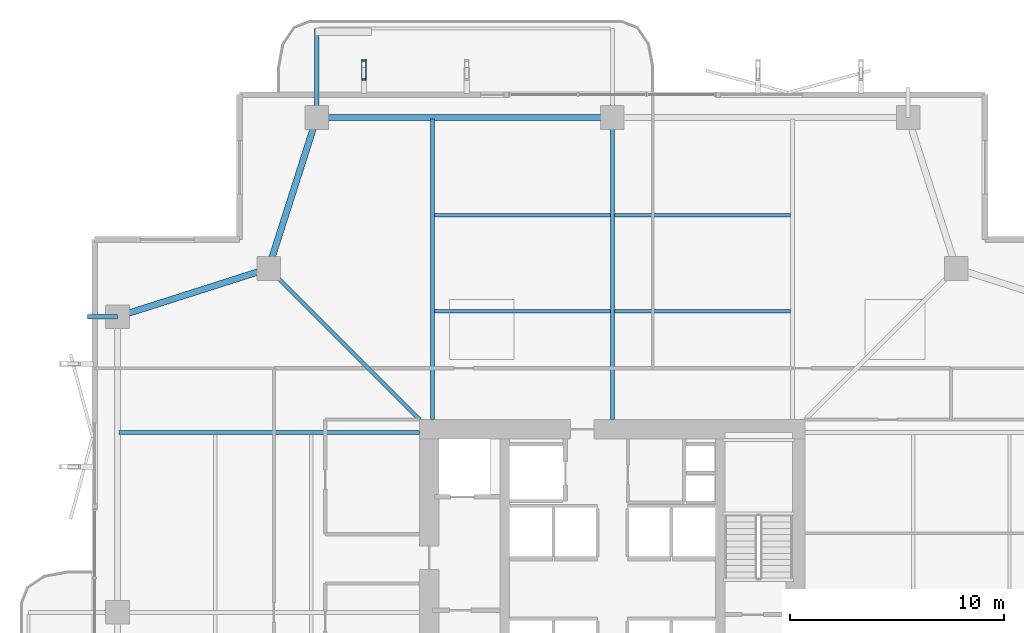
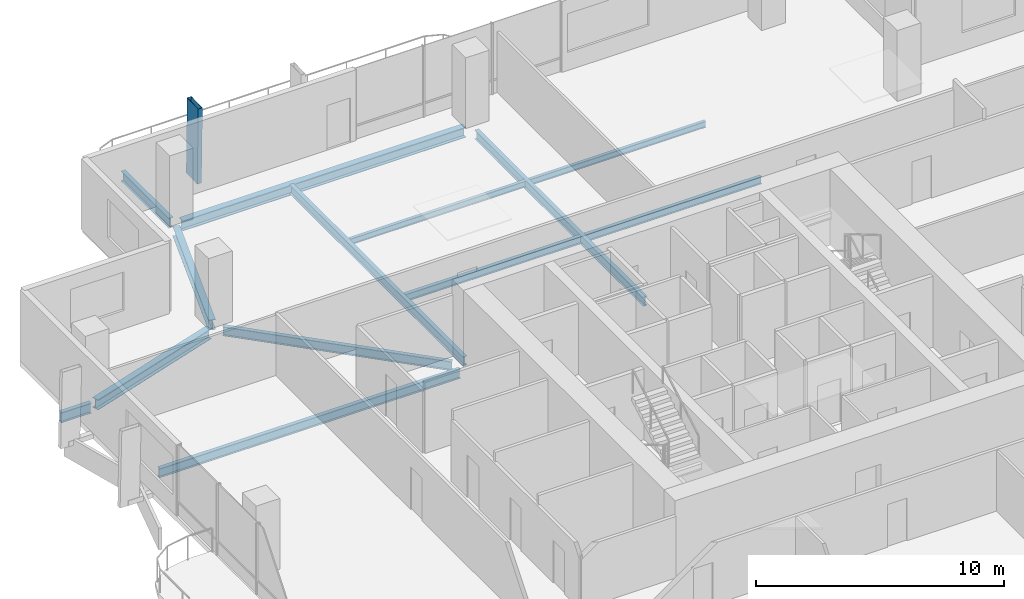
# One storey, part 12 of 24: 13 beams, 1 member.
"""IFC4 building model written with IfcOpenShell, lengths in metres."""

from ifc_helpers import new_model, si_unit, direction, frame, origin, origin_2d, place, context, subcontext, project, spatial, hollow_rectangle, i_section, extrude, material, material_profile, profile_set, type_object, element, save


model = new_model("IFC4")

# Units and contexts
model_context = context("Model", 3, precision=1e-05, world=origin(), true_north=direction((0.0, 1.0)))
body_context = subcontext(model_context, "Body", "Model", "MODEL_VIEW")
ifc_project = project(units=[si_unit("LENGTHUNIT", "METRE"), si_unit("AREAUNIT", "SQUARE_METRE"), si_unit("VOLUMEUNIT", "CUBIC_METRE"), si_unit("PLANEANGLEUNIT", "RADIAN"), si_unit("MASSUNIT", "GRAM", prefix="KILO")], contexts=[model_context])

# Site, building, storey
site_placement = place(None, origin())
site = spatial("IfcSite", under=ifc_project, at=site_placement, CompositionType="ELEMENT")
building_placement = place(site_placement, origin())
building = spatial("IfcBuilding", under=site, at=building_placement, Name="Belovzor Exchange Tower", CompositionType="ELEMENT")
storey_placement = place(building_placement, frame((0.0, 0.0, 168.300048828125)))
storey = spatial("IfcBuildingStorey", under=building, at=storey_placement, Name="L41", CompositionType="ELEMENT", Elevation=168.300048828125)

# Beams
ifc_material_1 = material(Name="Steel S355", Category="steel")
ifc_material_profile_1 = material_profile(ifc_material_1, i_section(OverallWidth=0.199951171875, OverallDepth=0.5, WebThickness=0.01025390625, FlangeThickness=0.01611328125, at=origin_2d()))
ifc_profile_set_1 = profile_set([ifc_material_profile_1], Name="Steel S355")
beam_type_1 = type_object("IfcBeamType", Name="Planted Balcony Cantilever Beam IPE 500", PredefinedType="BEAM", material=ifc_profile_set_1)
beam_1_placement = place(storey_placement, frame((15.0, 52.202880859375, -0.505126953125), z_axis=(0.0, 1.0, 0.0), x_axis=(-1.0, 0.0, 0.0)))
element("IfcBeam", 1, at=beam_1_placement, inside=storey, type_object=beam_type_1, Name="BC-500 Planted Balcony Cantilever Beam IPE 500", PredefinedType="BEAM", context=body_context, shape_type="SweptSolid", body=[
    extrude(i_section(OverallWidth=0.199951171875, OverallDepth=0.5, WebThickness=0.01025390625, FlangeThickness=0.01611328125, at=origin_2d()), origin(), (0.0, 0.0, 1.0), 3.85009765625),
])
beam_2_placement = place(storey_placement, frame((5.699951171875, 42.60009765625, -0.505126953125), z_axis=(-1.0, 0.0, 0.0), x_axis=(0.0, -1.0, 0.0)))
element("IfcBeam", 2, at=beam_2_placement, inside=storey, type_object=beam_type_1, Name="BC-500 Planted Balcony Cantilever Beam IPE 500", PredefinedType="BEAM", context=body_context, shape_type="SweptSolid", body=[
    extrude(i_section(OverallWidth=0.199951171875, OverallDepth=0.5, WebThickness=0.01025390625, FlangeThickness=0.01611328125, at=origin_2d()), origin(), (0.0, 0.0, 1.0), 1.39990234375),
])
ifc_material_2 = material(Name="Steel S355", Category="steel")
ifc_material_profile_2 = material_profile(ifc_material_2, i_section(OverallWidth=0.169921875, OverallDepth=0.360107421875, WebThickness=0.008056640625, FlangeThickness=0.0126953125, at=origin_2d()))
ifc_profile_set_2 = profile_set([ifc_material_profile_2], Name="Steel S355")
beam_type_2 = type_object("IfcBeamType", Name="Secondary Infill Floor Joist IPE 360", PredefinedType="BEAM", material=ifc_profile_set_2)
for number, where, z_axis, x_axis, name in (
    (3, (20.4951171875, 42.84912109375, -0.43505859375), (1.0, 0.0, 0.0), (0.0, 1.0, 0.0), "FJ-360 Secondary Infill Floor Joist IPE 360"),
    (4, (28.89501953125, 42.84912109375, -0.43505859375), (1.0, 0.0, 0.0), (0.0, 1.0, 0.0), "FJ-360 Secondary Infill Floor Joist IPE 360"),
):
    element("IfcBeam", number, at=place(storey_placement, frame(where, z_axis=z_axis, x_axis=x_axis)), inside=storey, type_object=beam_type_2, Name=name, PredefinedType="BEAM", context=body_context, shape_type="SweptSolid", body=[
        extrude(i_section(OverallWidth=0.169921875, OverallDepth=0.360107421875, WebThickness=0.008056640625, FlangeThickness=0.0126953125, at=origin_2d()), origin(), (0.0, 0.0, 1.0), 8.2099609375),
    ])
ifc_material_3 = material(Name="Steel S355", Category="steel")
ifc_material_profile_3 = material_profile(ifc_material_3, i_section(OverallWidth=0.14990234375, OverallDepth=0.300048828125, WebThickness=0.007080078125, FlangeThickness=0.0107421875, at=origin_2d()))
ifc_profile_set_3 = profile_set([ifc_material_profile_3], Name="Steel S355")
beam_type_3 = type_object("IfcBeamType", Name="Secondary Trim Floor Joist IPE 300", PredefinedType="BEAM", material=ifc_profile_set_3)
for number, where, z_axis, x_axis, name in (
    (5, (20.4951171875, 47.3369140625, -0.405029296875), (1.0, 0.0, 0.0), (0.0, 1.0, 0.0), "FJ-300 Secondary Trim Floor Joist IPE 300"),
    (6, (28.89501953125, 47.3369140625, -0.405029296875), (1.0, 0.0, 0.0), (0.0, 1.0, 0.0), "FJ-300 Secondary Trim Floor Joist IPE 300"),
):
    element("IfcBeam", number, at=place(storey_placement, frame(where, z_axis=z_axis, x_axis=x_axis)), inside=storey, type_object=beam_type_3, Name=name, PredefinedType="BEAM", context=body_context, shape_type="SweptSolid", body=[
        extrude(i_section(OverallWidth=0.14990234375, OverallDepth=0.300048828125, WebThickness=0.007080078125, FlangeThickness=0.0107421875, at=origin_2d()), origin(), (0.0, 0.0, 1.0), 8.2099609375),
    ])

# Member
ifc_material_4 = material(Name="Extruded Architectural Terracotta on Steel S355 Carrier", Category="masonry")
ifc_material_profile_4 = material_profile(ifc_material_4, hollow_rectangle(XDim=0.199951171875, YDim=0.89990234375, WallThickness=0.011962890625, at=origin_2d()))
ifc_profile_set_4 = profile_set([ifc_material_profile_4], Name="Extruded Architectural Terracotta on Steel S355 Carrier")
member_type = type_object("IfcMemberType", Name="Sweeping Terracotta Baguette Fin Assembly 1250", PredefinedType="USERDEFINED", material=ifc_profile_set_4)
member_placement = place(storey_placement, frame((17.199951171875, 54.159912109375, -0.255126953125), z_axis=(0.0, -0.0210239979, 0.999778971329), x_axis=(1.0, 0.0, 0.0)))
element("IfcMember", 7, at=member_placement, inside=storey, type_object=member_type, Name="FIN-TC125 Terracotta Facade Fin L41 N1", ObjectType="FIN", PredefinedType="USERDEFINED", context=body_context, shape_type="SweptSolid", body=[
    extrude(hollow_rectangle(XDim=0.199951171875, YDim=0.89990234375, WallThickness=0.011962890625, at=origin_2d()), origin(), (0.0, 0.0, 1.0), 3.750732421875),
])

# Beams
ifc_material_5 = material(Name="Steel S355", Category="steel")
ifc_material_profile_5 = material_profile(ifc_material_5, i_section(OverallWidth=0.18994140625, OverallDepth=0.449951171875, WebThickness=0.009521484375, FlangeThickness=0.0146484375, at=origin_2d()))
ifc_profile_set_5 = profile_set([ifc_material_profile_5], Name="Steel S355")
beam_type_4 = type_object("IfcBeamType", Name="Zone 2-4 Radial Composite Floor Beam IPE 450", PredefinedType="BEAM", material=ifc_profile_set_5)
beam_3_placement = place(storey_placement, frame((20.39990234375, 37.800048828125, -0.47998046875), z_axis=(0.0, 1.0, 0.0), x_axis=(-1.0, 0.0, 0.0)))
element("IfcBeam", 8, at=beam_3_placement, inside=storey, type_object=beam_type_4, Name="FB-450 Zone 2-4 Radial Composite Floor Beam IPE 450", PredefinedType="BEAM", context=body_context, shape_type="SweptSolid", body=[
    extrude(i_section(OverallWidth=0.18994140625, OverallDepth=0.449951171875, WebThickness=0.009521484375, FlangeThickness=0.0146484375, at=origin_2d()), origin(), (0.0, 0.0, 1.0), 14.02490234375),
])
beam_4_placement = place(storey_placement, frame((28.800048828125, 37.800048828125, -0.47998046875), z_axis=(0.0, 1.0, 0.0), x_axis=(-1.0, 0.0, 0.0)))
element("IfcBeam", 9, at=beam_4_placement, inside=storey, type_object=beam_type_4, Name="FB-450 Zone 2-4 Radial Composite Floor Beam IPE 450", PredefinedType="BEAM", context=body_context, shape_type="SweptSolid", body=[
    extrude(i_section(OverallWidth=0.18994140625, OverallDepth=0.449951171875, WebThickness=0.009521484375, FlangeThickness=0.0146484375, at=origin_2d()), origin(), (0.0, 0.0, 1.0), 13.615966796875),
])
beam_5_placement = place(storey_placement, frame((19.800048828125, 37.199951171875, -0.47998046875), z_axis=(-1.0, 0.0, 0.0), x_axis=(0.0, -1.0, 0.0)))
element("IfcBeam", 10, at=beam_5_placement, inside=storey, type_object=beam_type_4, Name="FB-450 Zone 2-4 Radial Composite Floor Beam IPE 450", PredefinedType="BEAM", context=body_context, shape_type="SweptSolid", body=[
    extrude(i_section(OverallWidth=0.18994140625, OverallDepth=0.449951171875, WebThickness=0.009521484375, FlangeThickness=0.0146484375, at=origin_2d()), origin(), (0.0, 0.0, 1.0), 14.025146484375),
])
beam_6_placement = place(storey_placement, frame((19.800048828125, 37.800048828125, -0.47998046875), z_axis=(-0.707119521505, 0.707094040639, 0.0), x_axis=(-0.707094040639, -0.707119521505, 0.0)))
element("IfcBeam", 11, at=beam_6_placement, inside=storey, type_object=beam_type_4, Name="FB-450 Zone 2-4 Radial Composite Floor Beam IPE 450", PredefinedType="BEAM", context=body_context, shape_type="SweptSolid", body=[
    extrude(i_section(OverallWidth=0.18994140625, OverallDepth=0.449951171875, WebThickness=0.009521484375, FlangeThickness=0.0146484375, at=origin_2d()), origin(), (0.0, 0.0, 1.0), 9.581298828125),
])
ifc_material_6 = material(Name="Steel S355", Category="steel")
ifc_material_profile_6 = material_profile(ifc_material_6, i_section(OverallWidth=0.300048828125, OverallDepth=0.5, WebThickness=0.014404296875, FlangeThickness=0.028076171875, at=origin_2d()))
ifc_profile_set_6 = profile_set([ifc_material_profile_6], Name="Steel S355")
beam_type_5 = type_object("IfcBeamType", Name="Zone 3 Waist Primary Girder HEB 500", PredefinedType="BEAM", material=ifc_profile_set_6)
beam_7_placement = place(storey_placement, frame((28.498046875, 51.89990234375, -0.505126953125), z_axis=(-1.0, 0.0, 0.0), x_axis=(0.0, -1.0, 0.0)))
element("IfcBeam", 12, at=beam_7_placement, inside=storey, type_object=beam_type_5, Name="FG-Z3 Zone 3 Waist Primary Girder HEB 500", PredefinedType="BEAM", context=body_context, shape_type="SweptSolid", body=[
    extrude(i_section(OverallWidth=0.300048828125, OverallDepth=0.5, WebThickness=0.014404296875, FlangeThickness=0.028076171875, at=origin_2d()), origin(), (0.0, 0.0, 1.0), 13.195068359375),
])
for number, where, z_axis, x_axis, name in (
    (13, (14.907958984375, 51.612060546875, -0.505126953125), (-0.304001325621, -0.952671608699, 0.0), (0.952671608699, -0.304001325621, 0.0), "FG-Z3 Zone 3 Waist Primary Girder HEB 500"),
    (14, (12.4619140625, 44.758056640625, -0.505126953125), (-0.952657882792, -0.304044336164, 0.0), (0.304044336164, -0.952657882792, 0.0), "FG-Z3 Zone 3 Waist Primary Girder HEB 500"),
):
    element("IfcBeam", number, at=place(storey_placement, frame(where, z_axis=z_axis, x_axis=x_axis)), inside=storey, type_object=beam_type_5, Name=name, PredefinedType="BEAM", context=body_context, shape_type="SweptSolid", body=[
        extrude(i_section(OverallWidth=0.300048828125, OverallDepth=0.5, WebThickness=0.014404296875, FlangeThickness=0.028076171875, at=origin_2d()), origin(), (0.0, 0.0, 1.0), 6.795654296875),
    ])

save(model, "model.ifc")
